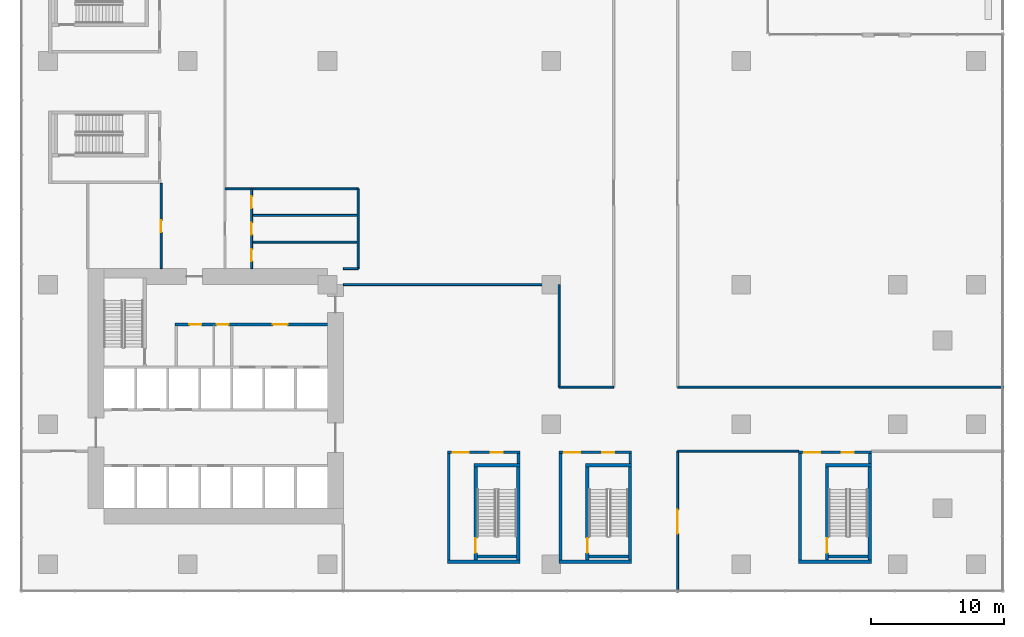
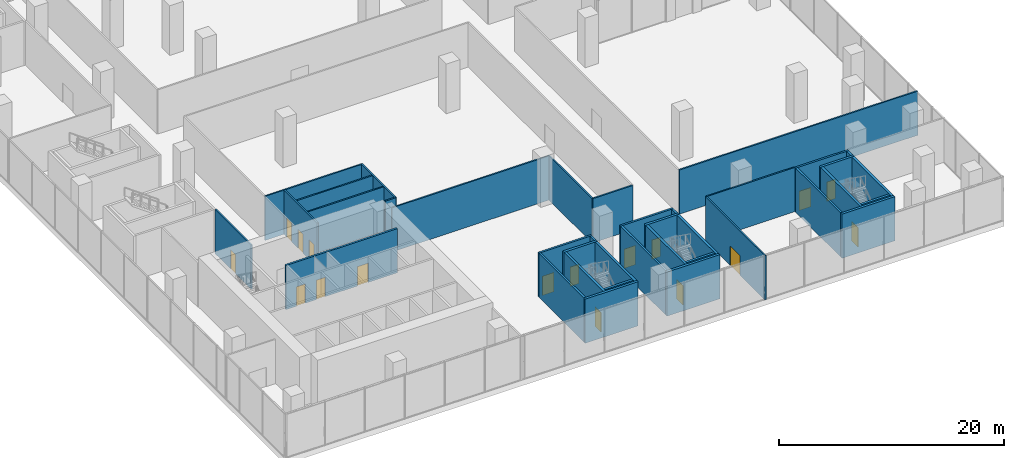
# One storey, part 14 of 23: 38 walls, 17 doors, 17 openings.
"""IFC4 building model written with IfcOpenShell, lengths in metres."""

from ifc_helpers import new_model, si_unit, direction, frame, frame_2d, origin, place, context, subcontext, project, spatial, rectangle, extrude, source, transform, mapped, material, layer, layer_set, type_object, element, fill, save


model = new_model("IFC4")

# Units and contexts
model_context = context("Model", 3, precision=1e-05, world=origin(), true_north=direction((0.0, 1.0)))
body_context = subcontext(model_context, "Body", "Model", "MODEL_VIEW")
ifc_project = project(units=[si_unit("LENGTHUNIT", "METRE"), si_unit("AREAUNIT", "SQUARE_METRE"), si_unit("VOLUMEUNIT", "CUBIC_METRE"), si_unit("PLANEANGLEUNIT", "RADIAN"), si_unit("MASSUNIT", "GRAM", prefix="KILO")], contexts=[model_context])

# Site, building, storey
site_placement = place(None, origin())
site = spatial("IfcSite", under=ifc_project, at=site_placement, CompositionType="ELEMENT")
building_placement = place(site_placement, origin())
building = spatial("IfcBuilding", under=site, at=building_placement, Name="Aurelian Terraces", CompositionType="ELEMENT")
storey_placement = place(building_placement, frame((0.0, 0.0, 23.7)))
storey = spatial("IfcBuildingStorey", under=building, at=storey_placement, Name="L04", CompositionType="ELEMENT", Elevation=23.7)

# Wall, opening, door
ifc_material_1 = material(Name="Concrete fc' 40 MPa", Category="concrete")
ifc_layer_1 = layer(ifc_material_1, 0.25)
ifc_layer_set_1 = layer_set([ifc_layer_1], Name="Stair enclosure wall 250")
wall_type_1 = type_object("IfcWallType", Name="Stair enclosure wall 250", PredefinedType="SOLIDWALL", material=ifc_layer_set_1)
shared_shape_1 = source(origin(), body_context, "Body", "SweptSolid", [
    extrude(rectangle(XDim=7.0, YDim=0.25, at=frame_2d((3.5, 0.0))), origin(), (0.0, 0.0, 1.0), 4.8),
])
wall_1_placement = place(storey_placement, frame((40.525, 0.3, 0.0), z_axis=(0.0, 0.0, 1.0), x_axis=(0.0, 1.0, 0.0)))
wall_1 = element("IfcWall", 1, at=wall_1_placement, inside=storey, type_object=wall_type_1, Name="L04 core wall ST-S2-W", PredefinedType="SOLIDWALL", context=body_context, shape_type="MappedRepresentation", body=[
    mapped(shared_shape_1, transform((0.0, 0.0, 0.0), scale=1.0)),
])
shared_shape_2 = source(origin(), body_context, "Body", "SweptSolid", [
    extrude(rectangle(XDim=1.1, YDim=2.1, at=frame_2d((0.55, 1.05))), frame((0.0, 0.135, 0.0), z_axis=(0.0, -1.0, 0.0), x_axis=(1.0, 0.0, 0.0)), (0.0, 0.0, 1.0), 0.27),
])
opening_1_placement = place(wall_1_placement, frame((0.55, 0.0, 0.0)))
opening_1 = element("IfcOpeningElement", 2, at=opening_1_placement, cuts=wall_1, Name="Opening 60714", PredefinedType="OPENING", context=body_context, shape_type="MappedRepresentation", body=[
    mapped(shared_shape_2, transform((0.0, 0.0, 0.0), scale=1.0)),
])
ifc_material_2 = material(Name="Steel door leaf", Category="steel")
door_type_1 = type_object("IfcDoorType", Name="Core fire door 1100x2100 right", OperationType="SINGLE_SWING_RIGHT", PredefinedType="DOOR", material=ifc_material_2)
shared_shape_3 = source(origin(), body_context, "Body", "SweptSolid", [
    extrude(rectangle(XDim=1.1, YDim=2.1, at=frame_2d((0.55, 1.05))), frame((0.0, 0.025, 0.0), z_axis=(0.0, -1.0, 0.0), x_axis=(1.0, 0.0, 0.0)), (0.0, 0.0, 1.0), 0.05),
])
door_1_placement = place(opening_1_placement, origin())
door_1 = element("IfcDoor", 3, at=door_1_placement, inside=storey, type_object=door_type_1, Name="Stair door 60714", OperationType="SINGLE_SWING_RIGHT", OverallHeight=2.1, OverallWidth=1.1, PredefinedType="DOOR", context=body_context, shape_type="MappedRepresentation", body=[
    mapped(shared_shape_3, transform((0.0, 0.0, 0.0), scale=1.0)),
])
fill(opening_1, door_1)

# Wall
wall_2_placement = place(storey_placement, frame((43.725, 0.3, 0.0), z_axis=(0.0, 0.0, 1.0), x_axis=(0.0, 1.0, 0.0)))
element("IfcWall", 4, at=wall_2_placement, inside=storey, type_object=wall_type_1, Name="L04 core wall ST-S2-E", PredefinedType="SOLIDWALL", context=body_context, shape_type="MappedRepresentation", body=[
    mapped(shared_shape_1, transform((0.0, 0.0, 0.0), scale=1.0)),
])

# Wall, opening, door
wall_3_placement = place(storey_placement, frame((58.525, 0.3, 0.0), z_axis=(0.0, 0.0, 1.0), x_axis=(0.0, 1.0, 0.0)))
wall_3 = element("IfcWall", 5, at=wall_3_placement, inside=storey, type_object=wall_type_1, Name="L04 core wall ST-S6-W", PredefinedType="SOLIDWALL", context=body_context, shape_type="MappedRepresentation", body=[
    mapped(shared_shape_1, transform((0.0, 0.0, 0.0), scale=1.0)),
])
opening_2_placement = place(wall_3_placement, frame((0.55, 0.0, 0.0)))
opening_2 = element("IfcOpeningElement", 6, at=opening_2_placement, cuts=wall_3, Name="Opening 60726", PredefinedType="OPENING", context=body_context, shape_type="MappedRepresentation", body=[
    mapped(shared_shape_2, transform((0.0, 0.0, 0.0), scale=1.0)),
])
door_2_placement = place(opening_2_placement, origin())
door_2 = element("IfcDoor", 7, at=door_2_placement, inside=storey, type_object=door_type_1, Name="Stair door 60726", OperationType="SINGLE_SWING_RIGHT", OverallHeight=2.1, OverallWidth=1.1, PredefinedType="DOOR", context=body_context, shape_type="MappedRepresentation", body=[
    mapped(shared_shape_3, transform((0.0, 0.0, 0.0), scale=1.0)),
])
fill(opening_2, door_2)

# Wall
wall_4_placement = place(storey_placement, frame((61.725, 0.3, 0.0), z_axis=(0.0, 0.0, 1.0), x_axis=(0.0, 1.0, 0.0)))
element("IfcWall", 8, at=wall_4_placement, inside=storey, type_object=wall_type_1, Name="L04 core wall ST-S6-E", PredefinedType="SOLIDWALL", context=body_context, shape_type="MappedRepresentation", body=[
    mapped(shared_shape_1, transform((0.0, 0.0, 0.0), scale=1.0)),
])

# Wall, opening, door
wall_5_placement = place(storey_placement, frame((32.125, 0.3, 0.0), z_axis=(0.0, 0.0, 1.0), x_axis=(0.0, 1.0, 0.0)))
wall_5 = element("IfcWall", 9, at=wall_5_placement, inside=storey, type_object=wall_type_1, Name="L04 core wall ST-S7-W", PredefinedType="SOLIDWALL", context=body_context, shape_type="MappedRepresentation", body=[
    mapped(shared_shape_1, transform((0.0, 0.0, 0.0), scale=1.0)),
])
opening_3_placement = place(wall_5_placement, frame((0.55, 0.0, 0.0)))
opening_3 = element("IfcOpeningElement", 10, at=opening_3_placement, cuts=wall_5, Name="Opening 60729", PredefinedType="OPENING", context=body_context, shape_type="MappedRepresentation", body=[
    mapped(shared_shape_2, transform((0.0, 0.0, 0.0), scale=1.0)),
])
door_type_2 = type_object("IfcDoorType", Name="Core fire door 1100x2100", OperationType="SINGLE_SWING_LEFT", PredefinedType="DOOR", material=ifc_material_2)
door_3_placement = place(opening_3_placement, origin())
door_3 = element("IfcDoor", 11, at=door_3_placement, inside=storey, type_object=door_type_2, Name="Stair door 60729", OperationType="SINGLE_SWING_LEFT", OverallHeight=2.1, OverallWidth=1.1, PredefinedType="DOOR", context=body_context, shape_type="MappedRepresentation", body=[
    mapped(shared_shape_3, transform((0.0, 0.0, 0.0), scale=1.0)),
])
fill(opening_3, door_3)

# Walls
wall_6_placement = place(storey_placement, frame((35.325, 0.3, 0.0), z_axis=(0.0, 0.0, 1.0), x_axis=(0.0, 1.0, 0.0)))
element("IfcWall", 12, at=wall_6_placement, inside=storey, type_object=wall_type_1, Name="L04 core wall ST-S7-E", PredefinedType="SOLIDWALL", context=body_context, shape_type="MappedRepresentation", body=[
    mapped(shared_shape_1, transform((0.0, 0.0, 0.0), scale=1.0)),
])
shared_shape_4 = source(origin(), body_context, "Body", "SweptSolid", [
    extrude(rectangle(XDim=3.45, YDim=0.25, at=frame_2d((1.725, 0.0))), origin(), (0.0, 0.0, 1.0), 4.8),
])
for number, where, z_axis, x_axis, name in (
    (13, (40.4, 7.425, 0.0), (0.0, 0.0, 1.0), (1.0, 0.0, 0.0), "L04 core wall ST-S2-N"),
    (14, (58.4, 7.425, 0.0), (0.0, 0.0, 1.0), (1.0, 0.0, 0.0), "L04 core wall ST-S6-N"),
    (15, (32.0, 7.425, 0.0), (0.0, 0.0, 1.0), (1.0, 0.0, 0.0), "L04 core wall ST-S7-N"),
):
    element("IfcWall", number, at=place(storey_placement, frame(where, z_axis=z_axis, x_axis=x_axis)), inside=storey, type_object=wall_type_1, Name=name, PredefinedType="SOLIDWALL", context=body_context, shape_type="MappedRepresentation", body=[
        mapped(shared_shape_4, transform((0.0, 0.0, 0.0), scale=1.0)),
    ])
shared_shape_5 = source(origin(), body_context, "Body", "SweptSolid", [
    extrude(rectangle(XDim=2.95, YDim=0.25, at=frame_2d((1.475, 0.0))), origin(), (0.0, 0.0, 1.0), 4.8),
])
for number, where, z_axis, x_axis, name in (
    (16, (40.65, 0.575, 0.0), (0.0, 0.0, 1.0), (1.0, 0.0, 0.0), "L04 core wall ST-S2-SS"),
    (17, (58.65, 0.575, 0.0), (0.0, 0.0, 1.0), (1.0, 0.0, 0.0), "L04 core wall ST-S6-SS"),
    (18, (32.25, 0.575, 0.0), (0.0, 0.0, 1.0), (1.0, 0.0, 0.0), "L04 core wall ST-S7-SS"),
):
    element("IfcWall", number, at=place(storey_placement, frame(where, z_axis=z_axis, x_axis=x_axis)), inside=storey, type_object=wall_type_1, Name=name, PredefinedType="SOLIDWALL", context=body_context, shape_type="MappedRepresentation", body=[
        mapped(shared_shape_5, transform((0.0, 0.0, 0.0), scale=1.0)),
    ])
ifc_material_3 = material(Name="Gypsum board on steel studs", Category="steel")
ifc_layer_2 = layer(ifc_material_3, 0.2)
ifc_layer_set_2 = layer_set([ifc_layer_2], Name="Core partition 200")
wall_type_2 = type_object("IfcWallType", Name="Core partition 200", PredefinedType="PARTITIONING", material=ifc_layer_set_2)
shared_shape_6 = source(origin(), body_context, "Body", "SweptSolid", [
    extrude(rectangle(XDim=8.0, YDim=0.2, at=frame_2d((4.0, 0.0))), origin(), (0.0, 0.0, 1.0), 4.8),
])
for number, where, z_axis, x_axis, name in (
    (19, (38.5, 0.3, 0.0), (0.0, 0.0, 1.0), (0.0, 1.0, 0.0), "L04 core wall ST-S2-VW"),
    (20, (56.5, 0.3, 0.0), (0.0, 0.0, 1.0), (0.0, 1.0, 0.0), "L04 core wall ST-S6-VW"),
    (21, (30.1, 0.3, 0.0), (0.0, 0.0, 1.0), (0.0, 1.0, 0.0), "L04 core wall ST-S7-VW"),
):
    element("IfcWall", number, at=place(storey_placement, frame(where, z_axis=z_axis, x_axis=x_axis)), inside=storey, type_object=wall_type_2, Name=name, PredefinedType="PARTITIONING", context=body_context, shape_type="MappedRepresentation", body=[
        mapped(shared_shape_6, transform((0.0, 0.0, 0.0), scale=1.0)),
    ])

# Wall, openings, doors
shared_shape_7 = source(origin(), body_context, "Body", "SweptSolid", [
    extrude(rectangle(XDim=5.45, YDim=0.2, at=frame_2d((2.725, 0.0))), origin(), (0.0, 0.0, 1.0), 4.8),
])
wall_7_placement = place(storey_placement, frame((38.4, 8.4, 0.0), z_axis=(0.0, 0.0, 1.0), x_axis=(1.0, 0.0, 0.0)))
wall_7 = element("IfcWall", 22, at=wall_7_placement, inside=storey, type_object=wall_type_2, Name="L04 core wall ST-S2-BN", PredefinedType="PARTITIONING", context=body_context, shape_type="MappedRepresentation", body=[
    mapped(shared_shape_7, transform((0.0, 0.0, 0.0), scale=1.0)),
])
shared_shape_8 = source(origin(), body_context, "Body", "SweptSolid", [
    extrude(rectangle(XDim=1.2, YDim=2.1, at=frame_2d((0.6, 1.05))), frame((0.0, 0.11, 0.0), z_axis=(0.0, -1.0, 0.0), x_axis=(1.0, 0.0, 0.0)), (0.0, 0.0, 1.0), 0.22),
])
opening_4_placement = place(wall_7_placement, frame((0.4, 0.0, 0.0)))
opening_4 = element("IfcOpeningElement", 23, at=opening_4_placement, cuts=wall_7, Name="Opening 60715", PredefinedType="OPENING", context=body_context, shape_type="MappedRepresentation", body=[
    mapped(shared_shape_8, transform((0.0, 0.0, 0.0), scale=1.0)),
])
shared_shape_9 = source(origin(), body_context, "Body", "SweptSolid", [
    extrude(rectangle(XDim=0.9, YDim=2.1, at=frame_2d((0.45, 1.05))), frame((0.0, 0.11, 0.0), z_axis=(0.0, -1.0, 0.0), x_axis=(1.0, 0.0, 0.0)), (0.0, 0.0, 1.0), 0.22),
])
opening_5_placement = place(wall_7_placement, frame((3.25, 0.0, 0.0)))
opening_5 = element("IfcOpeningElement", 24, at=opening_5_placement, cuts=wall_7, Name="Opening 60716", PredefinedType="OPENING", context=body_context, shape_type="MappedRepresentation", body=[
    mapped(shared_shape_9, transform((0.0, 0.0, 0.0), scale=1.0)),
])
door_type_3 = type_object("IfcDoorType", Name="Core riser door 900x2100 right", OperationType="SINGLE_SWING_RIGHT", PredefinedType="DOOR", material=ifc_material_2)
shared_shape_10 = source(origin(), body_context, "Body", "SweptSolid", [
    extrude(rectangle(XDim=0.9, YDim=2.1, at=frame_2d((0.45, 1.05))), frame((0.0, 0.025, 0.0), z_axis=(0.0, -1.0, 0.0), x_axis=(1.0, 0.0, 0.0)), (0.0, 0.0, 1.0), 0.05),
])
door_4_placement = place(opening_5_placement, origin())
door_4 = element("IfcDoor", 25, at=door_4_placement, inside=storey, type_object=door_type_3, Name="Riser door 60716", OperationType="SINGLE_SWING_RIGHT", OverallHeight=2.1, OverallWidth=0.9, PredefinedType="DOOR", context=body_context, shape_type="MappedRepresentation", body=[
    mapped(shared_shape_10, transform((0.0, 0.0, 0.0), scale=1.0)),
])
fill(opening_5, door_4)
door_type_4 = type_object("IfcDoorType", Name="Core fire door 1200x2100", OperationType="SINGLE_SWING_LEFT", PredefinedType="DOOR", material=ifc_material_2)
shared_shape_11 = source(origin(), body_context, "Body", "SweptSolid", [
    extrude(rectangle(XDim=1.2, YDim=2.1, at=frame_2d((0.6, 1.05))), frame((0.0, 0.025, 0.0), z_axis=(0.0, -1.0, 0.0), x_axis=(1.0, 0.0, 0.0)), (0.0, 0.0, 1.0), 0.05),
])
door_5_placement = place(opening_4_placement, origin())
door_5 = element("IfcDoor", 26, at=door_5_placement, inside=storey, type_object=door_type_4, Name="Vestibule door 60715", OperationType="SINGLE_SWING_LEFT", OverallHeight=2.1, OverallWidth=1.2, PredefinedType="DOOR", context=body_context, shape_type="MappedRepresentation", body=[
    mapped(shared_shape_11, transform((0.0, 0.0, 0.0), scale=1.0)),
])
fill(opening_4, door_5)

wall_8_placement = place(storey_placement, frame((56.4, 8.4, 0.0), z_axis=(0.0, 0.0, 1.0), x_axis=(1.0, 0.0, 0.0)))
wall_8 = element("IfcWall", 27, at=wall_8_placement, inside=storey, type_object=wall_type_2, Name="L04 core wall ST-S6-BN", PredefinedType="PARTITIONING", context=body_context, shape_type="MappedRepresentation", body=[
    mapped(shared_shape_7, transform((0.0, 0.0, 0.0), scale=1.0)),
])
opening_6_placement = place(wall_8_placement, frame((0.4, 0.0, 0.0)))
opening_6 = element("IfcOpeningElement", 28, at=opening_6_placement, cuts=wall_8, Name="Opening 60727", PredefinedType="OPENING", context=body_context, shape_type="MappedRepresentation", body=[
    mapped(shared_shape_8, transform((0.0, 0.0, 0.0), scale=1.0)),
])
opening_7_placement = place(wall_8_placement, frame((3.25, 0.0, 0.0)))
opening_7 = element("IfcOpeningElement", 29, at=opening_7_placement, cuts=wall_8, Name="Opening 60728", PredefinedType="OPENING", context=body_context, shape_type="MappedRepresentation", body=[
    mapped(shared_shape_9, transform((0.0, 0.0, 0.0), scale=1.0)),
])
door_6_placement = place(opening_7_placement, origin())
door_6 = element("IfcDoor", 30, at=door_6_placement, inside=storey, type_object=door_type_3, Name="Riser door 60728", OperationType="SINGLE_SWING_RIGHT", OverallHeight=2.1, OverallWidth=0.9, PredefinedType="DOOR", context=body_context, shape_type="MappedRepresentation", body=[
    mapped(shared_shape_10, transform((0.0, 0.0, 0.0), scale=1.0)),
])
fill(opening_7, door_6)
door_7_placement = place(opening_6_placement, origin())
door_7 = element("IfcDoor", 31, at=door_7_placement, inside=storey, type_object=door_type_4, Name="Vestibule door 60727", OperationType="SINGLE_SWING_LEFT", OverallHeight=2.1, OverallWidth=1.2, PredefinedType="DOOR", context=body_context, shape_type="MappedRepresentation", body=[
    mapped(shared_shape_11, transform((0.0, 0.0, 0.0), scale=1.0)),
])
fill(opening_6, door_7)

wall_9_placement = place(storey_placement, frame((30.0, 8.4, 0.0), z_axis=(0.0, 0.0, 1.0), x_axis=(1.0, 0.0, 0.0)))
wall_9 = element("IfcWall", 32, at=wall_9_placement, inside=storey, type_object=wall_type_2, Name="L04 core wall ST-S7-BN", PredefinedType="PARTITIONING", context=body_context, shape_type="MappedRepresentation", body=[
    mapped(shared_shape_7, transform((0.0, 0.0, 0.0), scale=1.0)),
])
opening_8_placement = place(wall_9_placement, frame((0.4, 0.0, 0.0)))
opening_8 = element("IfcOpeningElement", 33, at=opening_8_placement, cuts=wall_9, Name="Opening 60730", PredefinedType="OPENING", context=body_context, shape_type="MappedRepresentation", body=[
    mapped(shared_shape_8, transform((0.0, 0.0, 0.0), scale=1.0)),
])
opening_9_placement = place(wall_9_placement, frame((3.25, 0.0, 0.0)))
opening_9 = element("IfcOpeningElement", 34, at=opening_9_placement, cuts=wall_9, Name="Opening 60731", PredefinedType="OPENING", context=body_context, shape_type="MappedRepresentation", body=[
    mapped(shared_shape_9, transform((0.0, 0.0, 0.0), scale=1.0)),
])
door_type_5 = type_object("IfcDoorType", Name="Core riser door 900x2100", OperationType="SINGLE_SWING_LEFT", PredefinedType="DOOR", material=ifc_material_2)
door_8_placement = place(opening_9_placement, origin())
door_8 = element("IfcDoor", 35, at=door_8_placement, inside=storey, type_object=door_type_5, Name="Riser door 60731", OperationType="SINGLE_SWING_LEFT", OverallHeight=2.1, OverallWidth=0.9, PredefinedType="DOOR", context=body_context, shape_type="MappedRepresentation", body=[
    mapped(shared_shape_10, transform((0.0, 0.0, 0.0), scale=1.0)),
])
fill(opening_9, door_8)
door_type_6 = type_object("IfcDoorType", Name="Core fire door 1200x2100 right", OperationType="SINGLE_SWING_RIGHT", PredefinedType="DOOR", material=ifc_material_2)
door_9_placement = place(opening_8_placement, origin())
door_9 = element("IfcDoor", 36, at=door_9_placement, inside=storey, type_object=door_type_6, Name="Vestibule door 60730", OperationType="SINGLE_SWING_RIGHT", OverallHeight=2.1, OverallWidth=1.2, PredefinedType="DOOR", context=body_context, shape_type="MappedRepresentation", body=[
    mapped(shared_shape_11, transform((0.0, 0.0, 0.0), scale=1.0)),
])
fill(opening_8, door_9)

# Walls
shared_shape_12 = source(origin(), body_context, "Body", "SweptSolid", [
    extrude(rectangle(XDim=0.75, YDim=0.2, at=frame_2d((0.375, 0.0))), origin(), (0.0, 0.0, 1.0), 4.8),
])
for number, where, z_axis, x_axis, name in (
    (37, (43.75, 7.55, 0.0), (0.0, 0.0, 1.0), (0.0, 1.0, 0.0), "L04 core wall ST-S2-RE"),
    (38, (61.75, 7.55, 0.0), (0.0, 0.0, 1.0), (0.0, 1.0, 0.0), "L04 core wall ST-S6-RE"),
    (39, (35.35, 7.55, 0.0), (0.0, 0.0, 1.0), (0.0, 1.0, 0.0), "L04 core wall ST-S7-RE"),
):
    element("IfcWall", number, at=place(storey_placement, frame(where, z_axis=z_axis, x_axis=x_axis)), inside=storey, type_object=wall_type_2, Name=name, PredefinedType="PARTITIONING", context=body_context, shape_type="MappedRepresentation", body=[
        mapped(shared_shape_12, transform((0.0, 0.0, 0.0), scale=1.0)),
    ])
shared_shape_13 = source(origin(), body_context, "Body", "SweptSolid", [
    extrude(rectangle(XDim=5.45, YDim=0.25, at=frame_2d((2.725, 0.0))), origin(), (0.0, 0.0, 1.0), 4.8),
])
for number, where, z_axis, x_axis, name in (
    (40, (38.4, 0.175, 0.0), (0.0, 0.0, 1.0), (1.0, 0.0, 0.0), "L04 core wall ST-S2-S"),
    (41, (56.4, 0.175, 0.0), (0.0, 0.0, 1.0), (1.0, 0.0, 0.0), "L04 core wall ST-S6-S"),
    (42, (30.0, 0.175, 0.0), (0.0, 0.0, 1.0), (1.0, 0.0, 0.0), "L04 core wall ST-S7-S"),
):
    element("IfcWall", number, at=place(storey_placement, frame(where, z_axis=z_axis, x_axis=x_axis)), inside=storey, type_object=wall_type_1, Name=name, PredefinedType="SOLIDWALL", context=body_context, shape_type="MappedRepresentation", body=[
        mapped(shared_shape_13, transform((0.0, 0.0, 0.0), scale=1.0)),
    ])

# Wall, openings, doors
shared_shape_14 = source(origin(), body_context, "Body", "SweptSolid", [
    extrude(rectangle(XDim=11.45, YDim=0.2, at=frame_2d((5.725, 0.0))), origin(), (0.0, 0.0, 1.0), 4.8),
])
wall_10_placement = place(storey_placement, frame((9.55, 18.0, 0.0), z_axis=(0.0, 0.0, 1.0), x_axis=(1.0, 0.0, 0.0)))
wall_10 = element("IfcWall", 43, at=wall_10_placement, inside=storey, type_object=wall_type_2, Name="L04 core wall CP-NORTH", PredefinedType="PARTITIONING", context=body_context, shape_type="MappedRepresentation", body=[
    mapped(shared_shape_14, transform((0.0, 0.0, 0.0), scale=1.0)),
])
opening_10_placement = place(wall_10_placement, frame((1.075, 0.0, 0.0)))
opening_10 = element("IfcOpeningElement", 44, at=opening_10_placement, cuts=wall_10, Name="Opening 60711", PredefinedType="OPENING", context=body_context, shape_type="MappedRepresentation", body=[
    mapped(shared_shape_9, transform((0.0, 0.0, 0.0), scale=1.0)),
])
opening_11_placement = place(wall_10_placement, frame((3.125, 0.0, 0.0)))
opening_11 = element("IfcOpeningElement", 45, at=opening_11_placement, cuts=wall_10, Name="Opening 60712", PredefinedType="OPENING", context=body_context, shape_type="MappedRepresentation", body=[
    mapped(shared_shape_9, transform((0.0, 0.0, 0.0), scale=1.0)),
])
shared_shape_15 = source(origin(), body_context, "Body", "SweptSolid", [
    extrude(rectangle(XDim=1.1, YDim=2.1, at=frame_2d((0.55, 1.05))), frame((0.0, 0.11, 0.0), z_axis=(0.0, -1.0, 0.0), x_axis=(1.0, 0.0, 0.0)), (0.0, 0.0, 1.0), 0.22),
])
opening_12_placement = place(wall_10_placement, frame((7.35, 0.0, 0.0)))
opening_12 = element("IfcOpeningElement", 46, at=opening_12_placement, cuts=wall_10, Name="Opening 60713", PredefinedType="OPENING", context=body_context, shape_type="MappedRepresentation", body=[
    mapped(shared_shape_15, transform((0.0, 0.0, 0.0), scale=1.0)),
])
door_type_7 = type_object("IfcDoorType", Name="Core service door 900x2100", OperationType="SINGLE_SWING_LEFT", PredefinedType="DOOR", material=ifc_material_2)
door_10_placement = place(opening_10_placement, origin())
door_10 = element("IfcDoor", 47, at=door_10_placement, inside=storey, type_object=door_type_7, Name="Room door 60711", OperationType="SINGLE_SWING_LEFT", OverallHeight=2.1, OverallWidth=0.9, PredefinedType="DOOR", context=body_context, shape_type="MappedRepresentation", body=[
    mapped(shared_shape_10, transform((0.0, 0.0, 0.0), scale=1.0)),
])
fill(opening_10, door_10)
door_11_placement = place(opening_11_placement, origin())
door_11 = element("IfcDoor", 48, at=door_11_placement, inside=storey, type_object=door_type_3, Name="Room door 60712", OperationType="SINGLE_SWING_RIGHT", OverallHeight=2.1, OverallWidth=0.9, PredefinedType="DOOR", context=body_context, shape_type="MappedRepresentation", body=[
    mapped(shared_shape_10, transform((0.0, 0.0, 0.0), scale=1.0)),
])
fill(opening_11, door_11)
door_12_placement = place(opening_12_placement, origin())
door_12 = element("IfcDoor", 49, at=door_12_placement, inside=storey, type_object=door_type_2, Name="Ff lobby door 60713", OperationType="SINGLE_SWING_LEFT", OverallHeight=2.1, OverallWidth=1.1, PredefinedType="DOOR", context=body_context, shape_type="MappedRepresentation", body=[
    mapped(shared_shape_3, transform((0.0, 0.0, 0.0), scale=1.0)),
])
fill(opening_12, door_12)

# Walls
ifc_layer_3 = layer(ifc_material_3, 0.15)
ifc_layer_set_3 = layer_set([ifc_layer_3], Name="Special partition 150")
wall_type_3 = type_object("IfcWallType", Name="Special partition 150", PredefinedType="PARTITIONING", material=ifc_layer_set_3)
shared_shape_16 = source(origin(), body_context, "Body", "SweptSolid", [
    extrude(rectangle(XDim=8.0, YDim=0.15, at=frame_2d((4.0, 0.0))), origin(), (0.0, 0.0, 1.0), 4.8),
])
for number, where, z_axis, x_axis, name in (
    (50, (15.3, 24.2, 0.0), (0.0, 0.0, 1.0), (1.0, 0.0, 0.0), "L04 partition W08"),
    (51, (15.3, 26.2, 0.0), (0.0, 0.0, 1.0), (1.0, 0.0, 0.0), "L04 partition W09"),
):
    element("IfcWall", number, at=place(storey_placement, frame(where, z_axis=z_axis, x_axis=x_axis)), inside=storey, type_object=wall_type_3, Name=name, PredefinedType="PARTITIONING", context=body_context, shape_type="MappedRepresentation", body=[
        mapped(shared_shape_16, transform((0.0, 0.0, 0.0), scale=1.0)),
    ])

# Wall, opening, door
shared_shape_17 = source(origin(), body_context, "Body", "SweptSolid", [
    extrude(rectangle(XDim=10.6, YDim=0.15, at=frame_2d((5.3, 0.0))), origin(), (0.0, 0.0, 1.0), 4.8),
])
wall_11_placement = place(storey_placement, frame((47.3, -2.1, 0.0), z_axis=(0.0, 0.0, 1.0), x_axis=(0.0, 1.0, 0.0)))
wall_11 = element("IfcWall", 52, at=wall_11_placement, inside=storey, type_object=wall_type_3, Name="L04 partition W28", PredefinedType="PARTITIONING", context=body_context, shape_type="MappedRepresentation", body=[
    mapped(shared_shape_17, transform((0.0, 0.0, 0.0), scale=1.0)),
])
shared_shape_18 = source(origin(), body_context, "Body", "SweptSolid", [
    extrude(rectangle(XDim=1.8, YDim=2.1, at=frame_2d((0.9, 1.05))), frame((0.0, 0.085, 0.0), z_axis=(0.0, -1.0, 0.0), x_axis=(1.0, 0.0, 0.0)), (0.0, 0.0, 1.0), 0.17),
])
opening_13_placement = place(wall_11_placement, frame((4.4, 0.0, 0.0)))
opening_13 = element("IfcOpeningElement", 53, at=opening_13_placement, cuts=wall_11, Name="Opening 70710", PredefinedType="OPENING", context=body_context, shape_type="MappedRepresentation", body=[
    mapped(shared_shape_18, transform((0.0, 0.0, 0.0), scale=1.0)),
])
ifc_material_4 = material(Name="Timber door leaf", Category="wood")
door_type_8 = type_object("IfcDoorType", Name="Special double door 1800x2100", OperationType="DOUBLE_DOOR_SINGLE_SWING", PredefinedType="DOOR", material=ifc_material_4)
shared_shape_19 = source(origin(), body_context, "Body", "SweptSolid", [
    extrude(rectangle(XDim=1.8, YDim=2.1, at=frame_2d((0.9, 1.05))), frame((0.0, 0.025, 0.0), z_axis=(0.0, -1.0, 0.0), x_axis=(1.0, 0.0, 0.0)), (0.0, 0.0, 1.0), 0.05),
])
door_13_placement = place(opening_13_placement, origin())
door_13 = element("IfcDoor", 54, at=door_13_placement, inside=storey, type_object=door_type_8, Name="Door 70710", OperationType="DOUBLE_DOOR_SINGLE_SWING", OverallHeight=2.1, OverallWidth=1.8, PredefinedType="DOOR", context=body_context, shape_type="MappedRepresentation", body=[
    mapped(shared_shape_19, transform((0.0, 0.0, 0.0), scale=1.0)),
])
fill(opening_13, door_13)

shared_shape_20 = source(origin(), body_context, "Body", "SweptSolid", [
    extrude(rectangle(XDim=6.4, YDim=0.15, at=frame_2d((3.2, 0.0))), origin(), (0.0, 0.0, 1.0), 4.8),
])
wall_12_placement = place(storey_placement, frame((8.5, 22.2, 0.0), z_axis=(0.0, 0.0, 1.0), x_axis=(0.0, 1.0, 0.0)))
wall_12 = element("IfcWall", 55, at=wall_12_placement, inside=storey, type_object=wall_type_3, Name="L04 partition W17", PredefinedType="PARTITIONING", context=body_context, shape_type="MappedRepresentation", body=[
    mapped(shared_shape_20, transform((0.0, 0.0, 0.0), scale=1.0)),
])
shared_shape_21 = source(origin(), body_context, "Body", "SweptSolid", [
    extrude(rectangle(XDim=0.9, YDim=2.1, at=frame_2d((0.45, 1.05))), frame((0.0, 0.085, 0.0), z_axis=(0.0, -1.0, 0.0), x_axis=(1.0, 0.0, 0.0)), (0.0, 0.0, 1.0), 0.17),
])
opening_14_placement = place(wall_12_placement, frame((2.75, 0.0, 0.0)))
opening_14 = element("IfcOpeningElement", 56, at=opening_14_placement, cuts=wall_12, Name="Opening 70703", PredefinedType="OPENING", context=body_context, shape_type="MappedRepresentation", body=[
    mapped(shared_shape_21, transform((0.0, 0.0, 0.0), scale=1.0)),
])
door_type_9 = type_object("IfcDoorType", Name="Special door 900x2100 right", OperationType="SINGLE_SWING_RIGHT", PredefinedType="DOOR", material=ifc_material_4)
door_14_placement = place(opening_14_placement, origin())
door_14 = element("IfcDoor", 57, at=door_14_placement, inside=storey, type_object=door_type_9, Name="Door 70703", OperationType="SINGLE_SWING_RIGHT", OverallHeight=2.1, OverallWidth=0.9, PredefinedType="DOOR", context=body_context, shape_type="MappedRepresentation", body=[
    mapped(shared_shape_10, transform((0.0, 0.0, 0.0), scale=1.0)),
])
fill(opening_14, door_14)

# Wall, openings, doors
shared_shape_22 = source(origin(), body_context, "Body", "SweptSolid", [
    extrude(rectangle(XDim=6.0, YDim=0.15, at=frame_2d((3.0, 0.0))), origin(), (0.0, 0.0, 1.0), 4.8),
])
wall_13_placement = place(storey_placement, frame((15.3, 22.2, 0.0), z_axis=(0.0, 0.0, 1.0), x_axis=(0.0, 1.0, 0.0)))
wall_13 = element("IfcWall", 58, at=wall_13_placement, inside=storey, type_object=wall_type_3, Name="L04 partition W22", PredefinedType="PARTITIONING", context=body_context, shape_type="MappedRepresentation", body=[
    mapped(shared_shape_22, transform((0.0, 0.0, 0.0), scale=1.0)),
])
opening_15_placement = place(wall_13_placement, frame((0.55, 0.0, 0.0)))
opening_15 = element("IfcOpeningElement", 59, at=opening_15_placement, cuts=wall_13, Name="Opening 70706", PredefinedType="OPENING", context=body_context, shape_type="MappedRepresentation", body=[
    mapped(shared_shape_21, transform((0.0, 0.0, 0.0), scale=1.0)),
])
opening_16_placement = place(wall_13_placement, frame((2.55, 0.0, 0.0)))
opening_16 = element("IfcOpeningElement", 60, at=opening_16_placement, cuts=wall_13, Name="Opening 70707", PredefinedType="OPENING", context=body_context, shape_type="MappedRepresentation", body=[
    mapped(shared_shape_21, transform((0.0, 0.0, 0.0), scale=1.0)),
])
opening_17_placement = place(wall_13_placement, frame((4.55, 0.0, 0.0)))
opening_17 = element("IfcOpeningElement", 61, at=opening_17_placement, cuts=wall_13, Name="Opening 70708", PredefinedType="OPENING", context=body_context, shape_type="MappedRepresentation", body=[
    mapped(shared_shape_21, transform((0.0, 0.0, 0.0), scale=1.0)),
])
door_type_10 = type_object("IfcDoorType", Name="Special door 900x2100", OperationType="SINGLE_SWING_LEFT", PredefinedType="DOOR", material=ifc_material_4)
door_15_placement = place(opening_15_placement, origin())
door_15 = element("IfcDoor", 62, at=door_15_placement, inside=storey, type_object=door_type_10, Name="Door 70706", OperationType="SINGLE_SWING_LEFT", OverallHeight=2.1, OverallWidth=0.9, PredefinedType="DOOR", context=body_context, shape_type="MappedRepresentation", body=[
    mapped(shared_shape_10, transform((0.0, 0.0, 0.0), scale=1.0)),
])
fill(opening_15, door_15)
door_16_placement = place(opening_16_placement, origin())
door_16 = element("IfcDoor", 63, at=door_16_placement, inside=storey, type_object=door_type_9, Name="Door 70707", OperationType="SINGLE_SWING_RIGHT", OverallHeight=2.1, OverallWidth=0.9, PredefinedType="DOOR", context=body_context, shape_type="MappedRepresentation", body=[
    mapped(shared_shape_10, transform((0.0, 0.0, 0.0), scale=1.0)),
])
fill(opening_16, door_16)
door_17_placement = place(opening_17_placement, origin())
door_17 = element("IfcDoor", 64, at=door_17_placement, inside=storey, type_object=door_type_10, Name="Door 70708", OperationType="SINGLE_SWING_LEFT", OverallHeight=2.1, OverallWidth=0.9, PredefinedType="DOOR", context=body_context, shape_type="MappedRepresentation", body=[
    mapped(shared_shape_10, transform((0.0, 0.0, 0.0), scale=1.0)),
])
fill(opening_17, door_17)

# Walls
wall_14_placement = place(storey_placement, frame((23.3, 22.2, 0.0), z_axis=(0.0, 0.0, 1.0), x_axis=(0.0, 1.0, 0.0)))
element("IfcWall", 65, at=wall_14_placement, inside=storey, type_object=wall_type_3, Name="L04 partition W24", PredefinedType="PARTITIONING", context=body_context, shape_type="MappedRepresentation", body=[
    mapped(shared_shape_22, transform((0.0, 0.0, 0.0), scale=1.0)),
])
shared_shape_23 = source(origin(), body_context, "Body", "SweptSolid", [
    extrude(rectangle(XDim=9.1, YDim=0.15, at=frame_2d((4.55, 0.0))), origin(), (0.0, 0.0, 1.0), 4.8),
])
wall_15_placement = place(storey_placement, frame((47.3, 8.5, 0.0), z_axis=(0.0, 0.0, 1.0), x_axis=(1.0, 0.0, 0.0)))
element("IfcWall", 66, at=wall_15_placement, inside=storey, type_object=wall_type_3, Name="L04 partition W02", PredefinedType="PARTITIONING", context=body_context, shape_type="MappedRepresentation", body=[
    mapped(shared_shape_23, transform((0.0, 0.0, 0.0), scale=1.0)),
])
shared_shape_24 = source(origin(), body_context, "Body", "SweptSolid", [
    extrude(rectangle(XDim=4.1, YDim=0.15, at=frame_2d((2.05, 0.0))), origin(), (0.0, 0.0, 1.0), 4.8),
])
wall_16_placement = place(storey_placement, frame((38.4, 13.3, 0.0), z_axis=(0.0, 0.0, 1.0), x_axis=(1.0, 0.0, 0.0)))
element("IfcWall", 67, at=wall_16_placement, inside=storey, type_object=wall_type_3, Name="L04 partition W04", PredefinedType="PARTITIONING", context=body_context, shape_type="MappedRepresentation", body=[
    mapped(shared_shape_24, transform((0.0, 0.0, 0.0), scale=1.0)),
])
shared_shape_25 = source(origin(), body_context, "Body", "SweptSolid", [
    extrude(rectangle(XDim=16.2, YDim=0.15, at=frame_2d((8.1, 0.0))), origin(), (0.0, 0.0, 1.0), 4.8),
])
wall_17_placement = place(storey_placement, frame((22.2, 21.0, 0.0), z_axis=(0.0, 0.0, 1.0), x_axis=(1.0, 0.0, 0.0)))
element("IfcWall", 68, at=wall_17_placement, inside=storey, type_object=wall_type_3, Name="L04 partition W06", PredefinedType="PARTITIONING", context=body_context, shape_type="MappedRepresentation", body=[
    mapped(shared_shape_25, transform((0.0, 0.0, 0.0), scale=1.0)),
])
shared_shape_26 = source(origin(), body_context, "Body", "SweptSolid", [
    extrude(rectangle(XDim=1.1, YDim=0.15, at=frame_2d((0.55, 0.0))), origin(), (0.0, 0.0, 1.0), 4.8),
])
wall_18_placement = place(storey_placement, frame((22.2, 22.2, 0.0), z_axis=(0.0, 0.0, 1.0), x_axis=(1.0, 0.0, 0.0)))
element("IfcWall", 69, at=wall_18_placement, inside=storey, type_object=wall_type_3, Name="L04 partition W07", PredefinedType="PARTITIONING", context=body_context, shape_type="MappedRepresentation", body=[
    mapped(shared_shape_26, transform((0.0, 0.0, 0.0), scale=1.0)),
])
shared_shape_27 = source(origin(), body_context, "Body", "SweptSolid", [
    extrude(rectangle(XDim=10.0, YDim=0.15, at=frame_2d((5.0, 0.0))), origin(), (0.0, 0.0, 1.0), 4.8),
])
wall_19_placement = place(storey_placement, frame((13.3, 28.2, 0.0), z_axis=(0.0, 0.0, 1.0), x_axis=(1.0, 0.0, 0.0)))
element("IfcWall", 70, at=wall_19_placement, inside=storey, type_object=wall_type_3, Name="L04 partition W10", PredefinedType="PARTITIONING", context=body_context, shape_type="MappedRepresentation", body=[
    mapped(shared_shape_27, transform((0.0, 0.0, 0.0), scale=1.0)),
])
shared_shape_28 = source(origin(), body_context, "Body", "SweptSolid", [
    extrude(rectangle(XDim=7.7, YDim=0.15, at=frame_2d((3.85, 0.0))), origin(), (0.0, 0.0, 1.0), 4.8),
])
wall_20_placement = place(storey_placement, frame((38.4, 13.3, 0.0), z_axis=(0.0, 0.0, 1.0), x_axis=(0.0, 1.0, 0.0)))
element("IfcWall", 71, at=wall_20_placement, inside=storey, type_object=wall_type_3, Name="L04 partition W25", PredefinedType="PARTITIONING", context=body_context, shape_type="MappedRepresentation", body=[
    mapped(shared_shape_28, transform((0.0, 0.0, 0.0), scale=1.0)),
])
shared_shape_29 = source(origin(), body_context, "Body", "SweptSolid", [
    extrude(rectangle(XDim=24.52, YDim=0.15, at=frame_2d((12.26, 0.0))), origin(), (0.0, 0.0, 1.0), 4.8),
])
wall_21_placement = place(storey_placement, frame((47.3, 13.3, 0.0), z_axis=(0.0, 0.0, 1.0), x_axis=(1.0, 0.0, 0.0)))
element("IfcWall", 72, at=wall_21_placement, inside=storey, type_object=wall_type_3, Name="L04 partition W05", PredefinedType="PARTITIONING", context=body_context, shape_type="MappedRepresentation", body=[
    mapped(shared_shape_29, transform((0.0, 0.0, 0.0), scale=1.0)),
])

save(model, "model.ifc")
